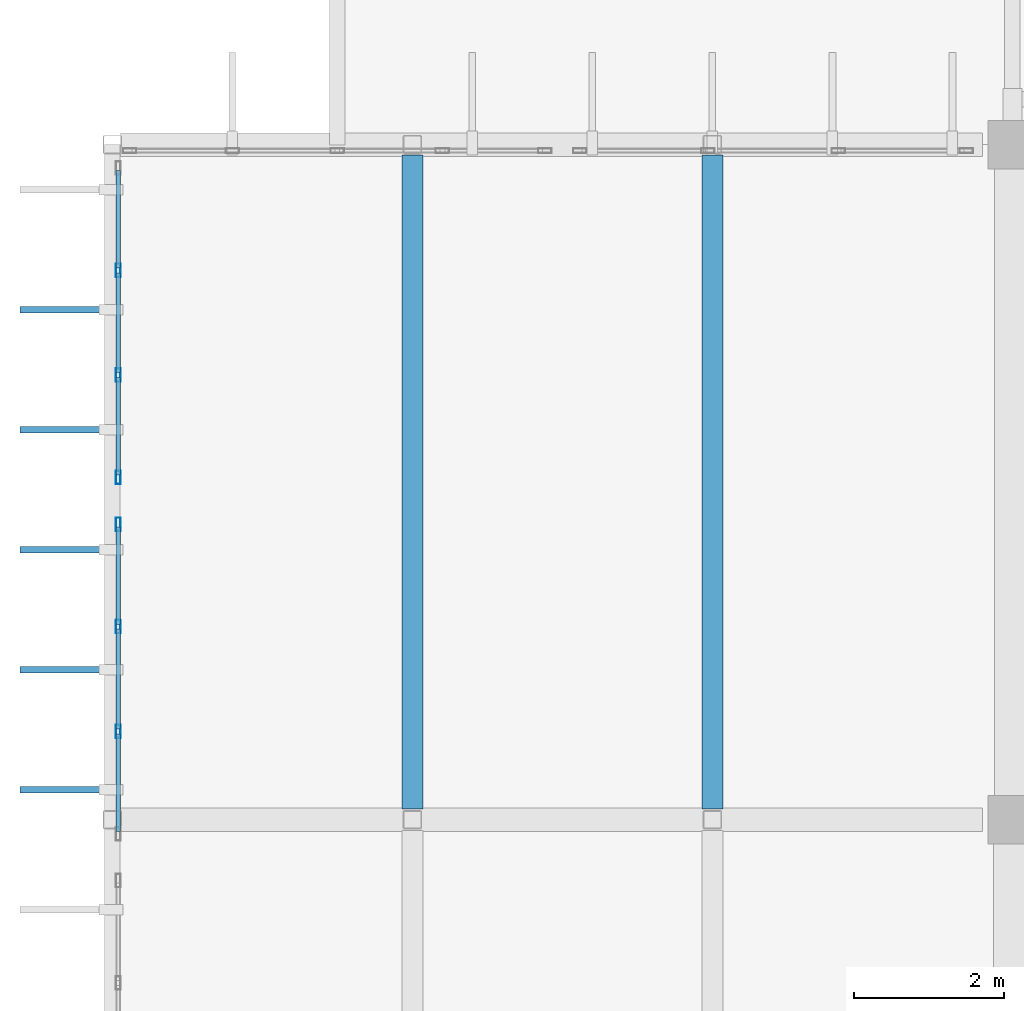
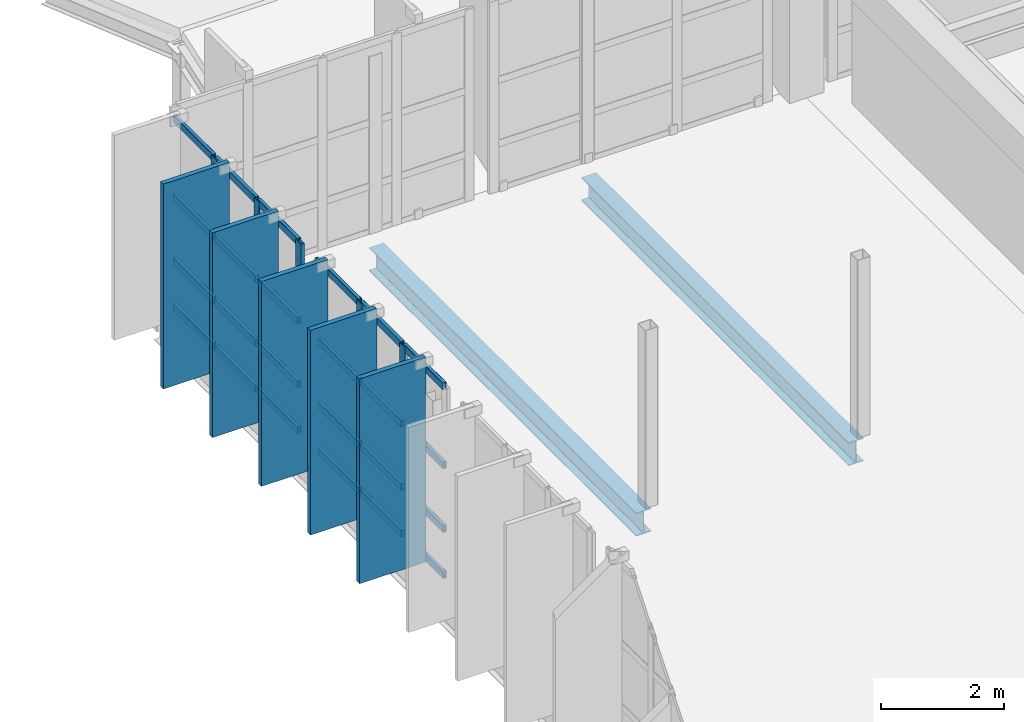
# One storey, part 33 of 80: 35 members, 2 beams, 2 elements without a shape of their own.
"""IFC4 building model written with IfcOpenShell, lengths in metres."""

from ifc_helpers import new_model, si_unit, direction, frame, origin, origin_2d, place, context, subcontext, project, spatial, rectangle, hollow_rectangle, i_section, extrude, material, material_profile, profile_set, type_object, element, aggregate, save


model = new_model("IFC4")

# Units and contexts
model_context = context("Model", 3, precision=1e-05, world=origin(), true_north=direction((0.0, 1.0)))
body_context = subcontext(model_context, "Body", "Model", "MODEL_VIEW")
ifc_project = project(units=[si_unit("LENGTHUNIT", "METRE"), si_unit("AREAUNIT", "SQUARE_METRE"), si_unit("VOLUMEUNIT", "CUBIC_METRE"), si_unit("PLANEANGLEUNIT", "RADIAN"), si_unit("MASSUNIT", "GRAM", prefix="KILO")], contexts=[model_context])

# Site, building, storey
site_placement = place(None, origin())
site = spatial("IfcSite", under=ifc_project, at=site_placement, CompositionType="ELEMENT")
building_placement = place(site_placement, origin())
building = spatial("IfcBuilding", under=site, at=building_placement, Name="Miravela Opera House", CompositionType="ELEMENT")
storey_placement = place(building_placement, frame((0.0, 0.0, 17.679931640625)))
storey = spatial("IfcBuildingStorey", under=building, at=storey_placement, Name="L04", CompositionType="ELEMENT", Elevation=17.679931640625)

# Curtain wall, members
ifc_material_1 = material(Name="Anodised architectural bronze aluminium 6063-T6", Category="aluminium")
curtain_wall_type = type_object("IfcCurtainWallType", Name="ARC-CW-02", PredefinedType="NOTDEFINED", material=ifc_material_1)
curtain_wall_1_placement = place(storey_placement, origin())
curtain_wall_1 = element("IfcCurtainWall", 1, at=curtain_wall_1_placement, inside=storey, type_object=curtain_wall_type, Name="Cantilever West Wrapper Glazing B7 CW-L04-033", PredefinedType="NOTDEFINED")
ifc_material_profile_1 = material_profile(ifc_material_1, hollow_rectangle(XDim=0.06494140625, YDim=0.179931640625, WallThickness=0.00390625, InnerFilletRadius=0.001953125, OuterFilletRadius=0.00390625, at=origin_2d()), Name="CWM-65X180")
ifc_profile_set_1 = profile_set([ifc_material_profile_1])
member_type_1 = type_object("IfcMemberType", Name="ARC-CWM-180", PredefinedType="MULLION", material=ifc_profile_set_1)
member_1_placement = place(storey_placement, frame((15.080078125, 67.1767578125, 0.0), z_axis=(0.0, 0.0, 1.0), x_axis=(-1.0, 0.0, 0.0)))
member_1 = element("IfcMember", 2, at=member_1_placement, type_object=member_type_1, Name="CW-02 mullion 2", PredefinedType="MULLION", context=body_context, shape_type="SweptSolid", body=[
    extrude(hollow_rectangle(XDim=0.06494140625, YDim=0.179931640625, WallThickness=0.00390625, InnerFilletRadius=0.001953125, OuterFilletRadius=0.00390625, at=origin_2d()), origin(), (0.0, 0.0, 1.0), 3.820068359375),
])
member_2_placement = place(storey_placement, frame((15.080078125, 68.5732421875, 0.0), z_axis=(0.0, 0.0, 1.0), x_axis=(-1.0, 0.0, 0.0)))
member_2 = element("IfcMember", 3, at=member_2_placement, type_object=member_type_1, Name="CW-02 mullion 3", PredefinedType="MULLION", context=body_context, shape_type="SweptSolid", body=[
    extrude(hollow_rectangle(XDim=0.06494140625, YDim=0.179931640625, WallThickness=0.00390625, InnerFilletRadius=0.001953125, OuterFilletRadius=0.00390625, at=origin_2d()), origin(), (0.0, 0.0, 1.0), 3.820068359375),
])
member_3_placement = place(storey_placement, frame((15.080078125, 69.9375, 0.0), z_axis=(0.0, 0.0, 1.0), x_axis=(-1.0, 0.0, 0.0)))
member_3 = element("IfcMember", 4, at=member_3_placement, type_object=member_type_1, Name="CW-02 mullion 4", PredefinedType="MULLION", context=body_context, shape_type="SweptSolid", body=[
    extrude(hollow_rectangle(XDim=0.06494140625, YDim=0.179931640625, WallThickness=0.00390625, InnerFilletRadius=0.001953125, OuterFilletRadius=0.00390625, at=origin_2d()), origin(), (0.0, 0.0, 1.0), 3.820068359375),
])

curtain_wall_2_placement = place(storey_placement, origin())
curtain_wall_2 = element("IfcCurtainWall", 5, at=curtain_wall_2_placement, inside=storey, type_object=curtain_wall_type, Name="Cantilever West Wrapper Glazing B8 CW-L04-034", PredefinedType="NOTDEFINED")
member_4_placement = place(storey_placement, frame((15.080078125, 70.5625, 0.0), z_axis=(0.0, 0.0, 1.0), x_axis=(-1.0, 0.0, 0.0)))
member_4 = element("IfcMember", 6, at=member_4_placement, type_object=member_type_1, Name="CW-02 mullion 1", PredefinedType="MULLION", context=body_context, shape_type="SweptSolid", body=[
    extrude(hollow_rectangle(XDim=0.06494140625, YDim=0.179931640625, WallThickness=0.00390625, InnerFilletRadius=0.001953125, OuterFilletRadius=0.00390625, at=origin_2d()), origin(), (0.0, 0.0, 1.0), 3.820068359375),
])
member_5_placement = place(storey_placement, frame((15.080078125, 71.9267578125, 0.0), z_axis=(0.0, 0.0, 1.0), x_axis=(-1.0, 0.0, 0.0)))
member_5 = element("IfcMember", 7, at=member_5_placement, type_object=member_type_1, Name="CW-02 mullion 2", PredefinedType="MULLION", context=body_context, shape_type="SweptSolid", body=[
    extrude(hollow_rectangle(XDim=0.06494140625, YDim=0.179931640625, WallThickness=0.00390625, InnerFilletRadius=0.001953125, OuterFilletRadius=0.00390625, at=origin_2d()), origin(), (0.0, 0.0, 1.0), 3.820068359375),
])
member_6_placement = place(storey_placement, frame((15.080078125, 73.3232421875, 0.0), z_axis=(0.0, 0.0, 1.0), x_axis=(-1.0, 0.0, 0.0)))
member_6 = element("IfcMember", 8, at=member_6_placement, type_object=member_type_1, Name="CW-02 mullion 3", PredefinedType="MULLION", context=body_context, shape_type="SweptSolid", body=[
    extrude(hollow_rectangle(XDim=0.06494140625, YDim=0.179931640625, WallThickness=0.00390625, InnerFilletRadius=0.001953125, OuterFilletRadius=0.00390625, at=origin_2d()), origin(), (0.0, 0.0, 1.0), 3.820068359375),
])

# Member
ifc_material_profile_2 = material_profile(ifc_material_1, hollow_rectangle(XDim=0.06494140625, YDim=0.139892578125, WallThickness=0.00390625, InnerFilletRadius=0.001953125, OuterFilletRadius=0.00390625, at=origin_2d()), Name="CWT-65X140")
ifc_profile_set_2 = profile_set([ifc_material_profile_2])
member_type_2 = type_object("IfcMemberType", Name="ARC-CWT-140", PredefinedType="USERDEFINED", material=ifc_profile_set_2)
member_7_placement = place(storey_placement, frame((15.080078125, 65.844970703125, 0.032470703125), z_axis=(0.0, 1.0, 0.0), x_axis=(-1.0, 0.0, 0.0)))
member_7 = element("IfcMember", 9, at=member_7_placement, type_object=member_type_2, Name="CW-02 transom 1.1", ObjectType="TRANSOM", PredefinedType="USERDEFINED", context=body_context, shape_type="SweptSolid", body=[
    extrude(hollow_rectangle(XDim=0.06494140625, YDim=0.139892578125, WallThickness=0.00390625, InnerFilletRadius=0.001953125, OuterFilletRadius=0.00390625, at=origin_2d()), origin(), (0.0, 0.0, 1.0), 1.29931640625),
])

member_8_placement = place(storey_placement, frame((15.080078125, 65.844970703125, 0.949951171875), z_axis=(0.0, 1.0, 0.0), x_axis=(-1.0, 0.0, 0.0)))
member_8 = element("IfcMember", 10, at=member_8_placement, type_object=member_type_2, Name="CW-02 transom 1.2", ObjectType="TRANSOM", PredefinedType="USERDEFINED", context=body_context, shape_type="SweptSolid", body=[
    extrude(hollow_rectangle(XDim=0.06494140625, YDim=0.139892578125, WallThickness=0.00390625, InnerFilletRadius=0.001953125, OuterFilletRadius=0.00390625, at=origin_2d()), origin(), (0.0, 0.0, 1.0), 1.29931640625),
])

member_9_placement = place(storey_placement, frame((15.080078125, 65.844970703125, 2.215576171875), z_axis=(0.0, 1.0, 0.0), x_axis=(-1.0, 0.0, 0.0)))
member_9 = element("IfcMember", 11, at=member_9_placement, type_object=member_type_2, Name="CW-02 transom 1.3", ObjectType="TRANSOM", PredefinedType="USERDEFINED", context=body_context, shape_type="SweptSolid", body=[
    extrude(hollow_rectangle(XDim=0.06494140625, YDim=0.139892578125, WallThickness=0.00390625, InnerFilletRadius=0.001953125, OuterFilletRadius=0.00390625, at=origin_2d()), origin(), (0.0, 0.0, 1.0), 1.29931640625),
])

member_10_placement = place(storey_placement, frame((15.080078125, 65.844970703125, 3.78759765625), z_axis=(0.0, 1.0, 0.0), x_axis=(-1.0, 0.0, 0.0)))
member_10 = element("IfcMember", 12, at=member_10_placement, type_object=member_type_2, Name="CW-02 transom 1.4", ObjectType="TRANSOM", PredefinedType="USERDEFINED", context=body_context, shape_type="SweptSolid", body=[
    extrude(hollow_rectangle(XDim=0.06494140625, YDim=0.139892578125, WallThickness=0.00390625, InnerFilletRadius=0.001953125, OuterFilletRadius=0.00390625, at=origin_2d()), origin(), (0.0, 0.0, 1.0), 1.29931640625),
])

member_11_placement = place(storey_placement, frame((15.080078125, 67.209228515625, 0.032470703125), z_axis=(0.0, 1.0, 0.0), x_axis=(-1.0, 0.0, 0.0)))
member_11 = element("IfcMember", 13, at=member_11_placement, type_object=member_type_2, Name="CW-02 transom 2.1", ObjectType="TRANSOM", PredefinedType="USERDEFINED", context=body_context, shape_type="SweptSolid", body=[
    extrude(hollow_rectangle(XDim=0.06494140625, YDim=0.139892578125, WallThickness=0.00390625, InnerFilletRadius=0.001953125, OuterFilletRadius=0.00390625, at=origin_2d()), origin(), (0.0, 0.0, 1.0), 1.33154296875),
])

member_12_placement = place(storey_placement, frame((15.080078125, 67.209228515625, 0.949951171875), z_axis=(0.0, 1.0, 0.0), x_axis=(-1.0, 0.0, 0.0)))
member_12 = element("IfcMember", 14, at=member_12_placement, type_object=member_type_2, Name="CW-02 transom 2.2", ObjectType="TRANSOM", PredefinedType="USERDEFINED", context=body_context, shape_type="SweptSolid", body=[
    extrude(hollow_rectangle(XDim=0.06494140625, YDim=0.139892578125, WallThickness=0.00390625, InnerFilletRadius=0.001953125, OuterFilletRadius=0.00390625, at=origin_2d()), origin(), (0.0, 0.0, 1.0), 1.33154296875),
])

member_13_placement = place(storey_placement, frame((15.080078125, 67.209228515625, 2.215576171875), z_axis=(0.0, 1.0, 0.0), x_axis=(-1.0, 0.0, 0.0)))
member_13 = element("IfcMember", 15, at=member_13_placement, type_object=member_type_2, Name="CW-02 transom 2.3", ObjectType="TRANSOM", PredefinedType="USERDEFINED", context=body_context, shape_type="SweptSolid", body=[
    extrude(hollow_rectangle(XDim=0.06494140625, YDim=0.139892578125, WallThickness=0.00390625, InnerFilletRadius=0.001953125, OuterFilletRadius=0.00390625, at=origin_2d()), origin(), (0.0, 0.0, 1.0), 1.33154296875),
])

member_14_placement = place(storey_placement, frame((15.080078125, 67.209228515625, 3.78759765625), z_axis=(0.0, 1.0, 0.0), x_axis=(-1.0, 0.0, 0.0)))
member_14 = element("IfcMember", 16, at=member_14_placement, type_object=member_type_2, Name="CW-02 transom 2.4", ObjectType="TRANSOM", PredefinedType="USERDEFINED", context=body_context, shape_type="SweptSolid", body=[
    extrude(hollow_rectangle(XDim=0.06494140625, YDim=0.139892578125, WallThickness=0.00390625, InnerFilletRadius=0.001953125, OuterFilletRadius=0.00390625, at=origin_2d()), origin(), (0.0, 0.0, 1.0), 1.33154296875),
])

member_15_placement = place(storey_placement, frame((15.080078125, 68.605712890625, 0.032470703125), z_axis=(0.0, 1.0, 0.0), x_axis=(-1.0, 0.0, 0.0)))
member_15 = element("IfcMember", 17, at=member_15_placement, type_object=member_type_2, Name="CW-02 transom 3.1", ObjectType="TRANSOM", PredefinedType="USERDEFINED", context=body_context, shape_type="SweptSolid", body=[
    extrude(hollow_rectangle(XDim=0.06494140625, YDim=0.139892578125, WallThickness=0.00390625, InnerFilletRadius=0.001953125, OuterFilletRadius=0.00390625, at=origin_2d()), origin(), (0.0, 0.0, 1.0), 1.29931640625),
])

member_16_placement = place(storey_placement, frame((15.080078125, 68.605712890625, 0.949951171875), z_axis=(0.0, 1.0, 0.0), x_axis=(-1.0, 0.0, 0.0)))
member_16 = element("IfcMember", 18, at=member_16_placement, type_object=member_type_2, Name="CW-02 transom 3.2", ObjectType="TRANSOM", PredefinedType="USERDEFINED", context=body_context, shape_type="SweptSolid", body=[
    extrude(hollow_rectangle(XDim=0.06494140625, YDim=0.139892578125, WallThickness=0.00390625, InnerFilletRadius=0.001953125, OuterFilletRadius=0.00390625, at=origin_2d()), origin(), (0.0, 0.0, 1.0), 1.29931640625),
])

member_17_placement = place(storey_placement, frame((15.080078125, 68.605712890625, 2.215576171875), z_axis=(0.0, 1.0, 0.0), x_axis=(-1.0, 0.0, 0.0)))
member_17 = element("IfcMember", 19, at=member_17_placement, type_object=member_type_2, Name="CW-02 transom 3.3", ObjectType="TRANSOM", PredefinedType="USERDEFINED", context=body_context, shape_type="SweptSolid", body=[
    extrude(hollow_rectangle(XDim=0.06494140625, YDim=0.139892578125, WallThickness=0.00390625, InnerFilletRadius=0.001953125, OuterFilletRadius=0.00390625, at=origin_2d()), origin(), (0.0, 0.0, 1.0), 1.29931640625),
])

member_18_placement = place(storey_placement, frame((15.080078125, 68.605712890625, 3.78759765625), z_axis=(0.0, 1.0, 0.0), x_axis=(-1.0, 0.0, 0.0)))
member_18 = element("IfcMember", 20, at=member_18_placement, type_object=member_type_2, Name="CW-02 transom 3.4", ObjectType="TRANSOM", PredefinedType="USERDEFINED", context=body_context, shape_type="SweptSolid", body=[
    extrude(hollow_rectangle(XDim=0.06494140625, YDim=0.139892578125, WallThickness=0.00390625, InnerFilletRadius=0.001953125, OuterFilletRadius=0.00390625, at=origin_2d()), origin(), (0.0, 0.0, 1.0), 1.29931640625),
])

aggregate(curtain_wall_1, [member_1, member_2, member_3, member_7, member_8, member_9, member_10, member_11, member_12, member_13, member_14, member_15, member_16, member_17, member_18])

member_19_placement = place(storey_placement, frame((15.080078125, 70.594970703125, 0.032470703125), z_axis=(0.0, 1.0, 0.0), x_axis=(-1.0, 0.0, 0.0)))
member_19 = element("IfcMember", 21, at=member_19_placement, type_object=member_type_2, Name="CW-02 transom 1.1", ObjectType="TRANSOM", PredefinedType="USERDEFINED", context=body_context, shape_type="SweptSolid", body=[
    extrude(hollow_rectangle(XDim=0.06494140625, YDim=0.139892578125, WallThickness=0.00390625, InnerFilletRadius=0.001953125, OuterFilletRadius=0.00390625, at=origin_2d()), origin(), (0.0, 0.0, 1.0), 1.29931640625),
])

member_20_placement = place(storey_placement, frame((15.080078125, 70.594970703125, 0.949951171875), z_axis=(0.0, 1.0, 0.0), x_axis=(-1.0, 0.0, 0.0)))
member_20 = element("IfcMember", 22, at=member_20_placement, type_object=member_type_2, Name="CW-02 transom 1.2", ObjectType="TRANSOM", PredefinedType="USERDEFINED", context=body_context, shape_type="SweptSolid", body=[
    extrude(hollow_rectangle(XDim=0.06494140625, YDim=0.139892578125, WallThickness=0.00390625, InnerFilletRadius=0.001953125, OuterFilletRadius=0.00390625, at=origin_2d()), origin(), (0.0, 0.0, 1.0), 1.29931640625),
])

member_21_placement = place(storey_placement, frame((15.080078125, 70.594970703125, 2.215576171875), z_axis=(0.0, 1.0, 0.0), x_axis=(-1.0, 0.0, 0.0)))
member_21 = element("IfcMember", 23, at=member_21_placement, type_object=member_type_2, Name="CW-02 transom 1.3", ObjectType="TRANSOM", PredefinedType="USERDEFINED", context=body_context, shape_type="SweptSolid", body=[
    extrude(hollow_rectangle(XDim=0.06494140625, YDim=0.139892578125, WallThickness=0.00390625, InnerFilletRadius=0.001953125, OuterFilletRadius=0.00390625, at=origin_2d()), origin(), (0.0, 0.0, 1.0), 1.29931640625),
])

member_22_placement = place(storey_placement, frame((15.080078125, 70.594970703125, 3.78759765625), z_axis=(0.0, 1.0, 0.0), x_axis=(-1.0, 0.0, 0.0)))
member_22 = element("IfcMember", 24, at=member_22_placement, type_object=member_type_2, Name="CW-02 transom 1.4", ObjectType="TRANSOM", PredefinedType="USERDEFINED", context=body_context, shape_type="SweptSolid", body=[
    extrude(hollow_rectangle(XDim=0.06494140625, YDim=0.139892578125, WallThickness=0.00390625, InnerFilletRadius=0.001953125, OuterFilletRadius=0.00390625, at=origin_2d()), origin(), (0.0, 0.0, 1.0), 1.29931640625),
])

member_23_placement = place(storey_placement, frame((15.080078125, 71.959228515625, 0.032470703125), z_axis=(0.0, 1.0, 0.0), x_axis=(-1.0, 0.0, 0.0)))
member_23 = element("IfcMember", 25, at=member_23_placement, type_object=member_type_2, Name="CW-02 transom 2.1", ObjectType="TRANSOM", PredefinedType="USERDEFINED", context=body_context, shape_type="SweptSolid", body=[
    extrude(hollow_rectangle(XDim=0.06494140625, YDim=0.139892578125, WallThickness=0.00390625, InnerFilletRadius=0.001953125, OuterFilletRadius=0.00390625, at=origin_2d()), origin(), (0.0, 0.0, 1.0), 1.33154296875),
])

member_24_placement = place(storey_placement, frame((15.080078125, 71.959228515625, 0.949951171875), z_axis=(0.0, 1.0, 0.0), x_axis=(-1.0, 0.0, 0.0)))
member_24 = element("IfcMember", 26, at=member_24_placement, type_object=member_type_2, Name="CW-02 transom 2.2", ObjectType="TRANSOM", PredefinedType="USERDEFINED", context=body_context, shape_type="SweptSolid", body=[
    extrude(hollow_rectangle(XDim=0.06494140625, YDim=0.139892578125, WallThickness=0.00390625, InnerFilletRadius=0.001953125, OuterFilletRadius=0.00390625, at=origin_2d()), origin(), (0.0, 0.0, 1.0), 1.33154296875),
])

member_25_placement = place(storey_placement, frame((15.080078125, 71.959228515625, 2.215576171875), z_axis=(0.0, 1.0, 0.0), x_axis=(-1.0, 0.0, 0.0)))
member_25 = element("IfcMember", 27, at=member_25_placement, type_object=member_type_2, Name="CW-02 transom 2.3", ObjectType="TRANSOM", PredefinedType="USERDEFINED", context=body_context, shape_type="SweptSolid", body=[
    extrude(hollow_rectangle(XDim=0.06494140625, YDim=0.139892578125, WallThickness=0.00390625, InnerFilletRadius=0.001953125, OuterFilletRadius=0.00390625, at=origin_2d()), origin(), (0.0, 0.0, 1.0), 1.33154296875),
])

member_26_placement = place(storey_placement, frame((15.080078125, 71.959228515625, 3.78759765625), z_axis=(0.0, 1.0, 0.0), x_axis=(-1.0, 0.0, 0.0)))
member_26 = element("IfcMember", 28, at=member_26_placement, type_object=member_type_2, Name="CW-02 transom 2.4", ObjectType="TRANSOM", PredefinedType="USERDEFINED", context=body_context, shape_type="SweptSolid", body=[
    extrude(hollow_rectangle(XDim=0.06494140625, YDim=0.139892578125, WallThickness=0.00390625, InnerFilletRadius=0.001953125, OuterFilletRadius=0.00390625, at=origin_2d()), origin(), (0.0, 0.0, 1.0), 1.33154296875),
])

member_27_placement = place(storey_placement, frame((15.080078125, 73.355712890625, 0.032470703125), z_axis=(0.0, 1.0, 0.0), x_axis=(-1.0, 0.0, 0.0)))
member_27 = element("IfcMember", 29, at=member_27_placement, type_object=member_type_2, Name="CW-02 transom 3.1", ObjectType="TRANSOM", PredefinedType="USERDEFINED", context=body_context, shape_type="SweptSolid", body=[
    extrude(hollow_rectangle(XDim=0.06494140625, YDim=0.139892578125, WallThickness=0.00390625, InnerFilletRadius=0.001953125, OuterFilletRadius=0.00390625, at=origin_2d()), origin(), (0.0, 0.0, 1.0), 1.29931640625),
])

member_28_placement = place(storey_placement, frame((15.080078125, 73.355712890625, 0.949951171875), z_axis=(0.0, 1.0, 0.0), x_axis=(-1.0, 0.0, 0.0)))
member_28 = element("IfcMember", 30, at=member_28_placement, type_object=member_type_2, Name="CW-02 transom 3.2", ObjectType="TRANSOM", PredefinedType="USERDEFINED", context=body_context, shape_type="SweptSolid", body=[
    extrude(hollow_rectangle(XDim=0.06494140625, YDim=0.139892578125, WallThickness=0.00390625, InnerFilletRadius=0.001953125, OuterFilletRadius=0.00390625, at=origin_2d()), origin(), (0.0, 0.0, 1.0), 1.29931640625),
])

member_29_placement = place(storey_placement, frame((15.080078125, 73.355712890625, 2.215576171875), z_axis=(0.0, 1.0, 0.0), x_axis=(-1.0, 0.0, 0.0)))
member_29 = element("IfcMember", 31, at=member_29_placement, type_object=member_type_2, Name="CW-02 transom 3.3", ObjectType="TRANSOM", PredefinedType="USERDEFINED", context=body_context, shape_type="SweptSolid", body=[
    extrude(hollow_rectangle(XDim=0.06494140625, YDim=0.139892578125, WallThickness=0.00390625, InnerFilletRadius=0.001953125, OuterFilletRadius=0.00390625, at=origin_2d()), origin(), (0.0, 0.0, 1.0), 1.29931640625),
])

member_30_placement = place(storey_placement, frame((15.080078125, 73.355712890625, 3.78759765625), z_axis=(0.0, 1.0, 0.0), x_axis=(-1.0, 0.0, 0.0)))
member_30 = element("IfcMember", 32, at=member_30_placement, type_object=member_type_2, Name="CW-02 transom 3.4", ObjectType="TRANSOM", PredefinedType="USERDEFINED", context=body_context, shape_type="SweptSolid", body=[
    extrude(hollow_rectangle(XDim=0.06494140625, YDim=0.139892578125, WallThickness=0.00390625, InnerFilletRadius=0.001953125, OuterFilletRadius=0.00390625, at=origin_2d()), origin(), (0.0, 0.0, 1.0), 1.29931640625),
])

aggregate(curtain_wall_2, [member_4, member_5, member_6, member_19, member_20, member_21, member_22, member_23, member_24, member_25, member_26, member_27, member_28, member_29, member_30])

# Members
ifc_material_profile_3 = material_profile(ifc_material_1, rectangle(XDim=0.090087890625, YDim=1.25, at=origin_2d()), Name="FIN-1250X90")
ifc_profile_set_3 = profile_set([ifc_material_profile_3])
member_type_3 = type_object("IfcMemberType", Name="ARC-FIN-1250", PredefinedType="USERDEFINED", material=ifc_profile_set_3)
for number, where, z_axis, x_axis, name in (
    (33, (14.39501953125, 66.39990234375, 0.0), (0.0, 0.0, 1.0), (0.0, 1.0, 0.0), "Auditorium Wrapper Bronze Solar Fin FIN-L04-WEST-0091"),
    (34, (14.39501953125, 68.0, 0.0), (0.0, 0.0, 1.0), (0.0, 1.0, 0.0), "Auditorium Wrapper Bronze Solar Fin FIN-L04-WEST-0092"),
    (35, (14.39501953125, 69.60009765625, 0.0), (0.0, 0.0, 1.0), (0.0, 1.0, 0.0), "Auditorium Wrapper Bronze Solar Fin FIN-L04-WEST-0093"),
    (36, (14.39501953125, 71.199951171875, 0.0), (0.0, 0.0, 1.0), (0.0, 1.0, 0.0), "Auditorium Wrapper Bronze Solar Fin FIN-L04-WEST-0094"),
    (37, (14.39501953125, 72.800048828125, 0.0), (0.0, 0.0, 1.0), (0.0, 1.0, 0.0), "Auditorium Wrapper Bronze Solar Fin FIN-L04-WEST-0095"),
):
    element("IfcMember", number, at=place(storey_placement, frame(where, z_axis=z_axis, x_axis=x_axis)), inside=storey, type_object=member_type_3, Name=name, ObjectType="FIN", PredefinedType="USERDEFINED", context=body_context, shape_type="SweptSolid", body=[
        extrude(rectangle(XDim=0.090087890625, YDim=1.25, at=origin_2d()), origin(), (0.0, 0.0, 1.0), 4.080078125),
    ])

# Beams
ifc_material_2 = material(Name="Structural steel ASTM A992 Gr. 50", Category="steel")
ifc_material_profile_4 = material_profile(ifc_material_2, i_section(OverallWidth=0.280029296875, OverallDepth=0.462890625, WebThickness=0.0107421875, FlangeThickness=0.017333984375, FilletRadius=0.014892578125, at=origin_2d()), Name="W460X113")
ifc_profile_set_4 = profile_set([ifc_material_profile_4])
beam_type = type_object("IfcBeamType", Name="STR-BM-W460X113", PredefinedType="BEAM", material=ifc_profile_set_4)
for number, where, z_axis, x_axis, name in (
    (38, (19.0, 66.14111328125, -0.471435546875), (0.0, 1.0, 0.0), (-1.0, 0.0, 0.0), "Cantilever Overhang Beam L04 X=19"),
    (39, (23.0, 66.14111328125, -0.471435546875), (0.0, 1.0, 0.0), (-1.0, 0.0, 0.0), "Cantilever Overhang Beam L04 X=23"),
):
    element("IfcBeam", number, at=place(storey_placement, frame(where, z_axis=z_axis, x_axis=x_axis)), inside=storey, type_object=beam_type, Name=name, PredefinedType="BEAM", context=body_context, shape_type="SweptSolid", body=[
        extrude(i_section(OverallWidth=0.280029296875, OverallDepth=0.462890625, WebThickness=0.0107421875, FlangeThickness=0.017333984375, FilletRadius=0.014892578125, at=origin_2d()), origin(), (0.0, 0.0, 1.0), 8.7177734375),
    ])

save(model, "model.ifc")
